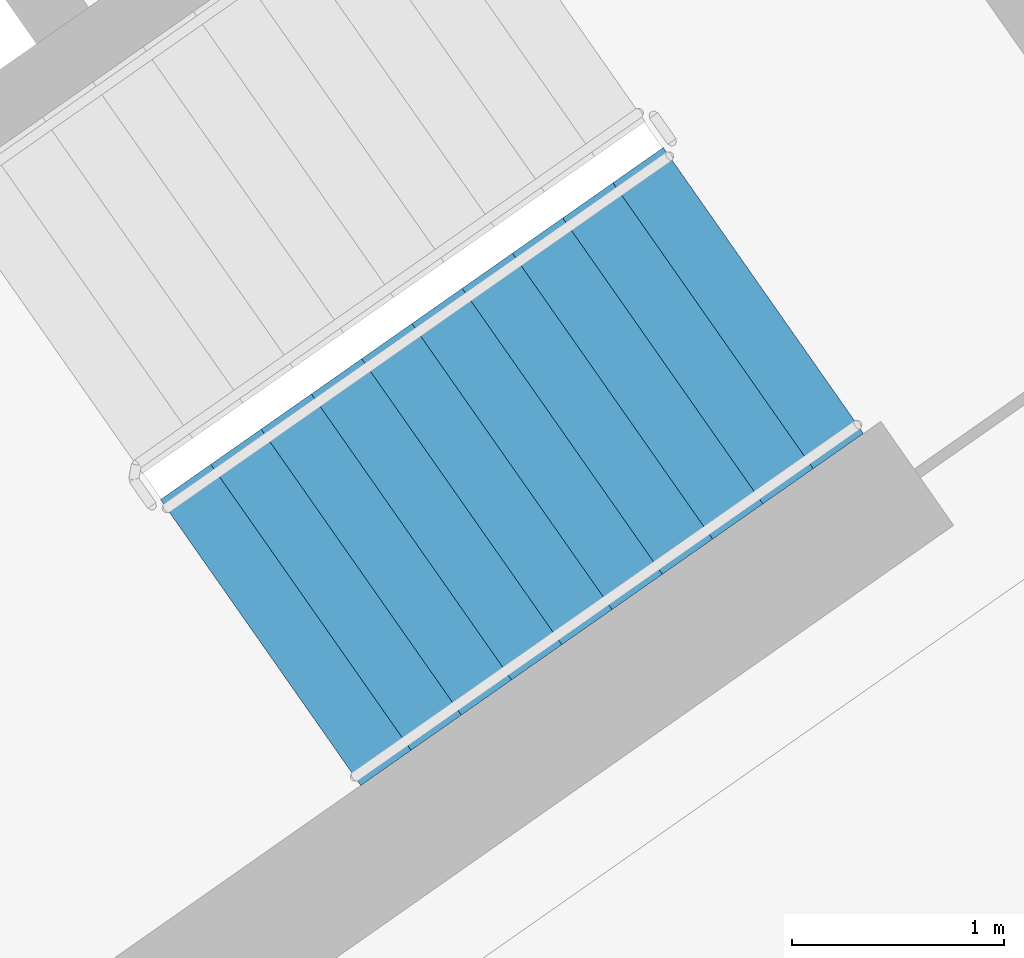
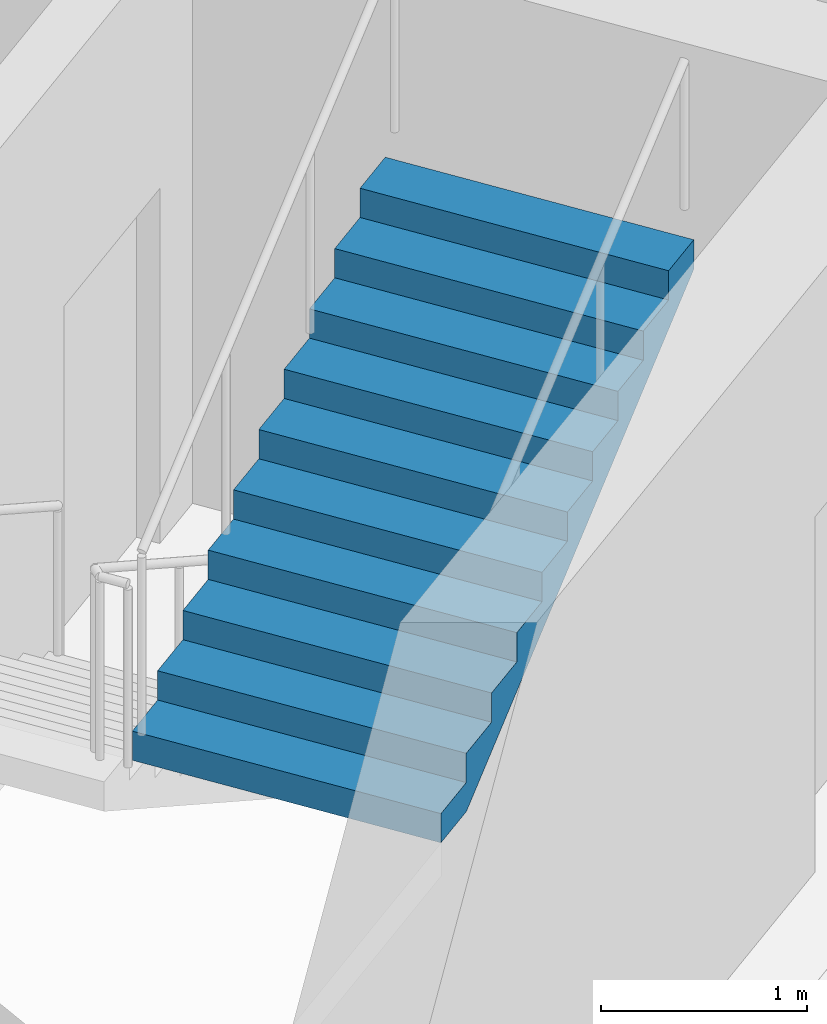
# One storey, part 13 of 28: 1 stair flight, 1 element without a shape of its own.
"""IFC4 building model written with IfcOpenShell, lengths in metres."""

from ifc_helpers import new_model, si_unit, direction, frame, origin, place, context, subcontext, project, spatial, faceted_brep, material, type_object, element, aggregate, save


model = new_model("IFC4")

# Units and contexts
model_context = context("Model", 3, precision=1e-05, world=origin(), true_north=direction((0.0, 1.0)))
body_context = subcontext(model_context, "Body", "Model", "MODEL_VIEW")
ifc_project = project(units=[si_unit("LENGTHUNIT", "METRE"), si_unit("AREAUNIT", "SQUARE_METRE"), si_unit("VOLUMEUNIT", "CUBIC_METRE"), si_unit("PLANEANGLEUNIT", "RADIAN"), si_unit("MASSUNIT", "GRAM", prefix="KILO")], contexts=[model_context])

# Site, building, storey
site_placement = place(None, origin())
site = spatial("IfcSite", under=ifc_project, at=site_placement, CompositionType="ELEMENT")
building_placement = place(site_placement, origin())
building = spatial("IfcBuilding", under=site, at=building_placement, Name="Qamariyya Broadcast Tower", CompositionType="ELEMENT")
storey_placement = place(building_placement, frame((0.0, 0.0, 226.5)))
storey = spatial("IfcBuildingStorey", under=building, at=storey_placement, Name="L54", CompositionType="ELEMENT", Elevation=226.5)

# Stair, stair flight
ifc_material = material(Name="Concrete C50/60", Category="concrete")
stair_type = type_object("IfcStairType", Name="Exit stair 22 risers of 173 mm", PredefinedType="HALF_TURN_STAIR", material=ifc_material)
stair_placement = place(storey_placement, origin())
stair = element("IfcStair", 1, at=stair_placement, inside=storey, type_object=stair_type, Name="L54 Stair E1", PredefinedType="HALF_TURN_STAIR")
stair_flight_type = type_object("IfcStairFlightType", Name="Exit stair flight 11 risers of 173 mm", PredefinedType="STRAIGHT", material=ifc_material)
stair_flight_placement = place(storey_placement, frame((44.693359375, -58.64599609375, 1.89990234375), z_axis=(0.0, 0.0, 1.0), x_axis=(0.819152044289, 0.573576436351, 0.0)))
stair_flight = element("IfcStairFlight", 2, at=stair_flight_placement, type_object=stair_flight_type, Name="ST-E1 flight 2", NumberOfRisers=11, NumberOfTreads=10, PredefinedType="STRAIGHT", RiserHeight=0.172727273, TreadLength=0.29, context=body_context, shape_type="Brep", body=[
    faceted_brep([(0.0, 0.824951171875, 0.0), (0.0, 0.824951171875, 0.172607421875), (0.2900390625, 0.824951171875, 0.172607421875), (0.2900390625, 0.824951171875, 0.345458984375), (0.580078125, 0.824951171875, 0.345458984375), (0.580078125, 0.824951171875, 0.51806640625), (0.8701171875, 0.824951171875, 0.51806640625), (0.8701171875, 0.824951171875, 0.69091796875), (1.159912109375, 0.824951171875, 0.69091796875), (1.159912109375, 0.824951171875, 0.863525390625), (1.449951171875, 0.824951171875, 0.863525390625), (1.449951171875, 0.824951171875, 1.036376953125), (1.739990234375, 0.824951171875, 1.036376953125), (1.739990234375, 0.824951171875, 1.208984375), (2.030029296875, 0.824951171875, 1.208984375), (2.030029296875, 0.824951171875, 1.3818359375), (2.320068359375, 0.824951171875, 1.3818359375), (2.320068359375, 0.824951171875, 1.554443359375), (2.610107421875, 0.824951171875, 1.554443359375), (2.610107421875, 0.824951171875, 1.727294921875), (2.89990234375, 0.824951171875, 1.727294921875), (2.89990234375, 0.824951171875, 1.552734375), (0.29296875, 0.824951171875, 0.0), (0.29296875, -0.824951171875, 0.0), (2.89990234375, -0.824951171875, 1.552734375), (2.89990234375, -0.824951171875, 1.727294921875), (2.610107421875, -0.824951171875, 1.727294921875), (2.610107421875, -0.824951171875, 1.554443359375), (2.320068359375, -0.824951171875, 1.554443359375), (2.320068359375, -0.824951171875, 1.3818359375), (2.030029296875, -0.824951171875, 1.3818359375), (2.030029296875, -0.824951171875, 1.208984375), (1.739990234375, -0.824951171875, 1.208984375), (1.739990234375, -0.824951171875, 1.036376953125), (1.449951171875, -0.824951171875, 1.036376953125), (1.449951171875, -0.824951171875, 0.863525390625), (1.159912109375, -0.824951171875, 0.863525390625), (1.159912109375, -0.824951171875, 0.69091796875), (0.8701171875, -0.824951171875, 0.69091796875), (0.8701171875, -0.824951171875, 0.51806640625), (0.580078125, -0.824951171875, 0.51806640625), (0.580078125, -0.824951171875, 0.345458984375), (0.2900390625, -0.824951171875, 0.345458984375), (0.2900390625, -0.824951171875, 0.172607421875), (0.0, -0.824951171875, 0.172607421875), (0.0, -0.824951171875, 0.0), (0.0, 0.10009765625, 0.0), (0.0, 0.086669921875, 0.0), (0.0, 0.0732421875, 0.0), (0.0, 0.06005859375, 0.0), (0.0, 0.046630859375, 0.0), (0.0, 0.033447265625, 0.0), (0.0, 0.02001953125, 0.0), (0.0, 0.006591796875, 0.0), (0.0, -0.006591796875, 0.0), (0.0, -0.02001953125, 0.0), (0.0, -0.033447265625, 0.0), (0.0, -0.046630859375, 0.0), (0.0, -0.06005859375, 0.0), (0.0, -0.0732421875, 0.0), (0.0, -0.086669921875, 0.0), (0.0, -0.10009765625, 0.0), (0.0, -0.10009765625, 0.172607421875), (0.0, -0.086669921875, 0.172607421875), (0.0, -0.0732421875, 0.172607421875), (0.0, -0.06005859375, 0.172607421875), (0.0, -0.046630859375, 0.172607421875), (0.0, -0.033447265625, 0.172607421875), (0.0, -0.02001953125, 0.172607421875), (0.0, -0.006591796875, 0.172607421875), (0.0, 0.006591796875, 0.172607421875), (0.0, 0.02001953125, 0.172607421875), (0.0, 0.033447265625, 0.172607421875), (0.0, 0.046630859375, 0.172607421875), (0.0, 0.06005859375, 0.172607421875), (0.0, 0.0732421875, 0.172607421875), (0.0, 0.086669921875, 0.172607421875), (0.0, 0.10009765625, 0.172607421875), (0.2900390625, -0.10009765625, 0.172607421875), (0.2900390625, -0.086669921875, 0.172607421875), (0.2900390625, -0.0732421875, 0.172607421875), (0.2900390625, -0.06005859375, 0.172607421875), (0.2900390625, -0.046630859375, 0.172607421875), (0.2900390625, -0.033447265625, 0.172607421875), (0.2900390625, -0.02001953125, 0.172607421875), (0.2900390625, -0.006591796875, 0.172607421875), (0.2900390625, 0.006591796875, 0.172607421875), (0.2900390625, 0.02001953125, 0.172607421875), (0.2900390625, 0.033447265625, 0.172607421875), (0.2900390625, 0.046630859375, 0.172607421875), (0.2900390625, 0.06005859375, 0.172607421875), (0.2900390625, 0.0732421875, 0.172607421875), (0.2900390625, 0.086669921875, 0.172607421875), (0.2900390625, 0.10009765625, 0.172607421875), (0.2900390625, -0.10009765625, 0.345458984375), (0.2900390625, -0.086669921875, 0.345458984375), (0.2900390625, -0.0732421875, 0.345458984375), (0.2900390625, -0.06005859375, 0.345458984375), (0.2900390625, -0.046630859375, 0.345458984375), (0.2900390625, -0.033447265625, 0.345458984375), (0.2900390625, -0.02001953125, 0.345458984375), (0.2900390625, -0.006591796875, 0.345458984375), (0.2900390625, 0.006591796875, 0.345458984375), (0.2900390625, 0.02001953125, 0.345458984375), (0.2900390625, 0.033447265625, 0.345458984375), (0.2900390625, 0.046630859375, 0.345458984375), (0.2900390625, 0.06005859375, 0.345458984375), (0.2900390625, 0.0732421875, 0.345458984375), (0.2900390625, 0.086669921875, 0.345458984375), (0.2900390625, 0.10009765625, 0.345458984375), (0.580078125, -0.10009765625, 0.345458984375), (0.580078125, -0.086669921875, 0.345458984375), (0.580078125, -0.0732421875, 0.345458984375), (0.580078125, -0.06005859375, 0.345458984375), (0.580078125, -0.046630859375, 0.345458984375), (0.580078125, -0.033447265625, 0.345458984375), (0.580078125, -0.02001953125, 0.345458984375), (0.580078125, -0.006591796875, 0.345458984375), (0.580078125, 0.006591796875, 0.345458984375), (0.580078125, 0.02001953125, 0.345458984375), (0.580078125, 0.033447265625, 0.345458984375), (0.580078125, 0.046630859375, 0.345458984375), (0.580078125, 0.06005859375, 0.345458984375), (0.580078125, 0.0732421875, 0.345458984375), (0.580078125, 0.086669921875, 0.345458984375), (0.580078125, 0.10009765625, 0.345458984375), (0.580078125, -0.10009765625, 0.51806640625), (0.580078125, -0.086669921875, 0.51806640625), (0.580078125, -0.0732421875, 0.51806640625), (0.580078125, -0.06005859375, 0.51806640625), (0.580078125, -0.046630859375, 0.51806640625), (0.580078125, -0.033447265625, 0.51806640625), (0.580078125, -0.02001953125, 0.51806640625), (0.580078125, -0.006591796875, 0.51806640625), (0.580078125, 0.006591796875, 0.51806640625), (0.580078125, 0.02001953125, 0.51806640625), (0.580078125, 0.033447265625, 0.51806640625), (0.580078125, 0.046630859375, 0.51806640625), (0.580078125, 0.06005859375, 0.51806640625), (0.580078125, 0.0732421875, 0.51806640625), (0.580078125, 0.086669921875, 0.51806640625), (0.580078125, 0.10009765625, 0.51806640625), (0.8701171875, -0.10009765625, 0.51806640625), (0.8701171875, -0.086669921875, 0.51806640625), (0.8701171875, -0.0732421875, 0.51806640625), (0.8701171875, -0.06005859375, 0.51806640625), (0.8701171875, -0.046630859375, 0.51806640625), (0.8701171875, -0.033447265625, 0.51806640625), (0.8701171875, -0.02001953125, 0.51806640625), (0.8701171875, -0.006591796875, 0.51806640625), (0.8701171875, 0.006591796875, 0.51806640625), (0.8701171875, 0.02001953125, 0.51806640625), (0.8701171875, 0.033447265625, 0.51806640625), (0.8701171875, 0.046630859375, 0.51806640625), (0.8701171875, 0.06005859375, 0.51806640625), (0.8701171875, 0.0732421875, 0.51806640625), (0.8701171875, 0.086669921875, 0.51806640625), (0.8701171875, 0.10009765625, 0.51806640625), (0.8701171875, -0.10009765625, 0.69091796875), (0.8701171875, -0.086669921875, 0.69091796875), (0.8701171875, -0.0732421875, 0.69091796875), (0.8701171875, -0.06005859375, 0.69091796875), (0.8701171875, -0.046630859375, 0.69091796875), (0.8701171875, -0.033447265625, 0.69091796875), (0.8701171875, -0.02001953125, 0.69091796875), (0.8701171875, -0.006591796875, 0.69091796875), (0.8701171875, 0.006591796875, 0.69091796875), (0.8701171875, 0.02001953125, 0.69091796875), (0.8701171875, 0.033447265625, 0.69091796875), (0.8701171875, 0.046630859375, 0.69091796875), (0.8701171875, 0.06005859375, 0.69091796875), (0.8701171875, 0.0732421875, 0.69091796875), (0.8701171875, 0.086669921875, 0.69091796875), (0.8701171875, 0.10009765625, 0.69091796875), (1.159912109375, -0.10009765625, 0.69091796875), (1.159912109375, -0.086669921875, 0.69091796875), (1.159912109375, -0.0732421875, 0.69091796875), (1.159912109375, -0.06005859375, 0.69091796875), (1.159912109375, -0.046630859375, 0.69091796875), (1.159912109375, -0.033447265625, 0.69091796875), (1.159912109375, -0.02001953125, 0.69091796875), (1.159912109375, -0.006591796875, 0.69091796875), (1.159912109375, 0.006591796875, 0.69091796875), (1.159912109375, 0.02001953125, 0.69091796875), (1.159912109375, 0.033447265625, 0.69091796875), (1.159912109375, 0.046630859375, 0.69091796875), (1.159912109375, 0.06005859375, 0.69091796875), (1.159912109375, 0.0732421875, 0.69091796875), (1.159912109375, 0.086669921875, 0.69091796875), (1.159912109375, 0.10009765625, 0.69091796875), (1.159912109375, -0.10009765625, 0.863525390625), (1.159912109375, -0.086669921875, 0.863525390625), (1.159912109375, -0.0732421875, 0.863525390625), (1.159912109375, -0.06005859375, 0.863525390625), (1.159912109375, -0.046630859375, 0.863525390625), (1.159912109375, -0.033447265625, 0.863525390625), (1.159912109375, -0.02001953125, 0.863525390625), (1.159912109375, -0.006591796875, 0.863525390625), (1.159912109375, 0.006591796875, 0.863525390625), (1.159912109375, 0.02001953125, 0.863525390625), (1.159912109375, 0.033447265625, 0.863525390625), (1.159912109375, 0.046630859375, 0.863525390625), (1.159912109375, 0.06005859375, 0.863525390625), (1.159912109375, 0.0732421875, 0.863525390625), (1.159912109375, 0.086669921875, 0.863525390625), (1.159912109375, 0.10009765625, 0.863525390625), (1.449951171875, -0.10009765625, 0.863525390625), (1.449951171875, -0.086669921875, 0.863525390625), (1.449951171875, -0.0732421875, 0.863525390625), (1.449951171875, -0.06005859375, 0.863525390625), (1.449951171875, -0.046630859375, 0.863525390625), (1.449951171875, -0.033447265625, 0.863525390625), (1.449951171875, -0.02001953125, 0.863525390625), (1.449951171875, -0.006591796875, 0.863525390625), (1.449951171875, 0.006591796875, 0.863525390625), (1.449951171875, 0.02001953125, 0.863525390625), (1.449951171875, 0.033447265625, 0.863525390625), (1.449951171875, 0.046630859375, 0.863525390625), (1.449951171875, 0.06005859375, 0.863525390625), (1.449951171875, 0.0732421875, 0.863525390625), (1.449951171875, 0.086669921875, 0.863525390625), (1.449951171875, 0.10009765625, 0.863525390625), (1.449951171875, -0.10009765625, 1.036376953125), (1.449951171875, -0.086669921875, 1.036376953125), (1.449951171875, -0.0732421875, 1.036376953125), (1.449951171875, -0.06005859375, 1.036376953125), (1.449951171875, -0.046630859375, 1.036376953125), (1.449951171875, -0.033447265625, 1.036376953125), (1.449951171875, -0.02001953125, 1.036376953125), (1.449951171875, -0.006591796875, 1.036376953125), (1.449951171875, 0.006591796875, 1.036376953125), (1.449951171875, 0.02001953125, 1.036376953125), (1.449951171875, 0.033447265625, 1.036376953125), (1.449951171875, 0.046630859375, 1.036376953125), (1.449951171875, 0.06005859375, 1.036376953125), (1.449951171875, 0.0732421875, 1.036376953125), (1.449951171875, 0.086669921875, 1.036376953125), (1.449951171875, 0.10009765625, 1.036376953125), (1.739990234375, -0.10009765625, 1.036376953125), (1.739990234375, -0.086669921875, 1.036376953125), (1.739990234375, -0.0732421875, 1.036376953125), (1.739990234375, -0.06005859375, 1.036376953125), (1.739990234375, -0.046630859375, 1.036376953125), (1.739990234375, -0.033447265625, 1.036376953125), (1.739990234375, -0.02001953125, 1.036376953125), (1.739990234375, -0.006591796875, 1.036376953125), (1.739990234375, 0.006591796875, 1.036376953125), (1.739990234375, 0.02001953125, 1.036376953125), (1.739990234375, 0.033447265625, 1.036376953125), (1.739990234375, 0.046630859375, 1.036376953125), (1.739990234375, 0.06005859375, 1.036376953125), (1.739990234375, 0.0732421875, 1.036376953125), (1.739990234375, 0.086669921875, 1.036376953125), (1.739990234375, 0.10009765625, 1.036376953125), (1.739990234375, -0.10009765625, 1.208984375), (1.739990234375, -0.086669921875, 1.208984375), (1.739990234375, -0.0732421875, 1.208984375), (1.739990234375, -0.06005859375, 1.208984375), (1.739990234375, -0.046630859375, 1.208984375), (1.739990234375, -0.033447265625, 1.208984375), (1.739990234375, -0.02001953125, 1.208984375), (1.739990234375, -0.006591796875, 1.208984375), (1.739990234375, 0.006591796875, 1.208984375), (1.739990234375, 0.02001953125, 1.208984375), (1.739990234375, 0.033447265625, 1.208984375), (1.739990234375, 0.046630859375, 1.208984375), (1.739990234375, 0.06005859375, 1.208984375), (1.739990234375, 0.0732421875, 1.208984375), (1.739990234375, 0.086669921875, 1.208984375), (1.739990234375, 0.10009765625, 1.208984375), (2.030029296875, -0.10009765625, 1.208984375), (2.030029296875, -0.086669921875, 1.208984375), (2.030029296875, -0.0732421875, 1.208984375), (2.030029296875, -0.06005859375, 1.208984375), (2.030029296875, -0.046630859375, 1.208984375), (2.030029296875, -0.033447265625, 1.208984375), (2.030029296875, -0.02001953125, 1.208984375), (2.030029296875, -0.006591796875, 1.208984375), (2.030029296875, 0.006591796875, 1.208984375), (2.030029296875, 0.02001953125, 1.208984375), (2.030029296875, 0.033447265625, 1.208984375), (2.030029296875, 0.046630859375, 1.208984375), (2.030029296875, 0.06005859375, 1.208984375), (2.030029296875, 0.0732421875, 1.208984375), (2.030029296875, 0.086669921875, 1.208984375), (2.030029296875, 0.10009765625, 1.208984375), (2.030029296875, -0.10009765625, 1.3818359375), (2.030029296875, -0.086669921875, 1.3818359375), (2.030029296875, -0.0732421875, 1.3818359375), (2.030029296875, -0.06005859375, 1.3818359375), (2.030029296875, -0.046630859375, 1.3818359375), (2.030029296875, -0.033447265625, 1.3818359375), (2.030029296875, -0.02001953125, 1.3818359375), (2.030029296875, -0.006591796875, 1.3818359375), (2.030029296875, 0.006591796875, 1.3818359375), (2.030029296875, 0.02001953125, 1.3818359375), (2.030029296875, 0.033447265625, 1.3818359375), (2.030029296875, 0.046630859375, 1.3818359375), (2.030029296875, 0.06005859375, 1.3818359375), (2.030029296875, 0.0732421875, 1.3818359375), (2.030029296875, 0.086669921875, 1.3818359375), (2.030029296875, 0.10009765625, 1.3818359375), (2.320068359375, -0.10009765625, 1.3818359375), (2.320068359375, -0.086669921875, 1.3818359375), (2.320068359375, -0.0732421875, 1.3818359375), (2.320068359375, -0.06005859375, 1.3818359375), (2.320068359375, -0.046630859375, 1.3818359375), (2.320068359375, -0.033447265625, 1.3818359375), (2.320068359375, -0.02001953125, 1.3818359375), (2.320068359375, -0.006591796875, 1.3818359375), (2.320068359375, 0.006591796875, 1.3818359375), (2.320068359375, 0.02001953125, 1.3818359375), (2.320068359375, 0.033447265625, 1.3818359375), (2.320068359375, 0.046630859375, 1.3818359375), (2.320068359375, 0.06005859375, 1.3818359375), (2.320068359375, 0.0732421875, 1.3818359375), (2.320068359375, 0.086669921875, 1.3818359375), (2.320068359375, 0.10009765625, 1.3818359375), (2.320068359375, -0.10009765625, 1.554443359375), (2.320068359375, -0.086669921875, 1.554443359375), (2.320068359375, -0.0732421875, 1.554443359375), (2.320068359375, -0.06005859375, 1.554443359375), (2.320068359375, -0.046630859375, 1.554443359375), (2.320068359375, -0.033447265625, 1.554443359375), (2.320068359375, -0.02001953125, 1.554443359375), (2.320068359375, -0.006591796875, 1.554443359375), (2.320068359375, 0.006591796875, 1.554443359375), (2.320068359375, 0.02001953125, 1.554443359375), (2.320068359375, 0.033447265625, 1.554443359375), (2.320068359375, 0.046630859375, 1.554443359375), (2.320068359375, 0.06005859375, 1.554443359375), (2.320068359375, 0.0732421875, 1.554443359375), (2.320068359375, 0.086669921875, 1.554443359375), (2.320068359375, 0.10009765625, 1.554443359375), (2.610107421875, -0.10009765625, 1.554443359375), (2.610107421875, -0.086669921875, 1.554443359375), (2.610107421875, -0.0732421875, 1.554443359375), (2.610107421875, -0.06005859375, 1.554443359375), (2.610107421875, -0.046630859375, 1.554443359375), (2.610107421875, -0.033447265625, 1.554443359375), (2.610107421875, -0.02001953125, 1.554443359375), (2.610107421875, -0.006591796875, 1.554443359375), (2.610107421875, 0.006591796875, 1.554443359375), (2.610107421875, 0.02001953125, 1.554443359375), (2.610107421875, 0.033447265625, 1.554443359375), (2.610107421875, 0.046630859375, 1.554443359375), (2.610107421875, 0.06005859375, 1.554443359375), (2.610107421875, 0.0732421875, 1.554443359375), (2.610107421875, 0.086669921875, 1.554443359375), (2.610107421875, 0.10009765625, 1.554443359375), (2.610107421875, -0.10009765625, 1.727294921875), (2.610107421875, -0.086669921875, 1.727294921875), (2.610107421875, -0.0732421875, 1.727294921875), (2.610107421875, -0.06005859375, 1.727294921875), (2.610107421875, -0.046630859375, 1.727294921875), (2.610107421875, -0.033447265625, 1.727294921875), (2.610107421875, -0.02001953125, 1.727294921875), (2.610107421875, -0.006591796875, 1.727294921875), (2.610107421875, 0.006591796875, 1.727294921875), (2.610107421875, 0.02001953125, 1.727294921875), (2.610107421875, 0.033447265625, 1.727294921875), (2.610107421875, 0.046630859375, 1.727294921875), (2.610107421875, 0.06005859375, 1.727294921875), (2.610107421875, 0.0732421875, 1.727294921875), (2.610107421875, 0.086669921875, 1.727294921875), (2.610107421875, 0.10009765625, 1.727294921875), (2.89990234375, -0.10009765625, 1.727294921875), (2.89990234375, -0.086669921875, 1.727294921875), (2.89990234375, -0.0732421875, 1.727294921875), (2.89990234375, -0.06005859375, 1.727294921875), (2.89990234375, -0.046630859375, 1.727294921875), (2.89990234375, -0.033447265625, 1.727294921875), (2.89990234375, -0.02001953125, 1.727294921875), (2.89990234375, -0.006591796875, 1.727294921875), (2.89990234375, 0.006591796875, 1.727294921875), (2.89990234375, 0.02001953125, 1.727294921875), (2.89990234375, 0.033447265625, 1.727294921875), (2.89990234375, 0.046630859375, 1.727294921875), (2.89990234375, 0.06005859375, 1.727294921875), (2.89990234375, 0.0732421875, 1.727294921875), (2.89990234375, 0.086669921875, 1.727294921875), (2.89990234375, 0.10009765625, 1.727294921875), (2.89990234375, -0.10009765625, 1.552734375), (2.89990234375, -0.086669921875, 1.552734375), (2.89990234375, -0.0732421875, 1.552734375), (2.89990234375, -0.06005859375, 1.552734375), (2.89990234375, -0.046630859375, 1.552734375), (2.89990234375, -0.033447265625, 1.552734375), (2.89990234375, -0.02001953125, 1.552734375), (2.89990234375, -0.006591796875, 1.552734375), (2.89990234375, 0.006591796875, 1.552734375), (2.89990234375, 0.02001953125, 1.552734375), (2.89990234375, 0.033447265625, 1.552734375), (2.89990234375, 0.046630859375, 1.552734375), (2.89990234375, 0.06005859375, 1.552734375), (2.89990234375, 0.0732421875, 1.552734375), (2.89990234375, 0.086669921875, 1.552734375), (2.89990234375, 0.10009765625, 1.552734375), (0.29296875, -0.10009765625, 0.0), (0.29296875, -0.086669921875, 0.0), (0.29296875, -0.0732421875, 0.0), (0.29296875, -0.06005859375, 0.0), (0.29296875, -0.046630859375, 0.0), (0.29296875, -0.033447265625, 0.0), (0.29296875, -0.02001953125, 0.0), (0.29296875, -0.006591796875, 0.0), (0.29296875, 0.006591796875, 0.0), (0.29296875, 0.02001953125, 0.0), (0.29296875, 0.033447265625, 0.0), (0.29296875, 0.046630859375, 0.0), (0.29296875, 0.06005859375, 0.0), (0.29296875, 0.0732421875, 0.0), (0.29296875, 0.086669921875, 0.0), (0.29296875, 0.10009765625, 0.0)], [[[0, 1, 2, 3, 4, 5, 6, 7, 8, 9, 10, 11, 12, 13, 14, 15, 16, 17, 18, 19, 20, 21, 22]], [[23, 24, 25, 26, 27, 28, 29, 30, 31, 32, 33, 34, 35, 36, 37, 38, 39, 40, 41, 42, 43, 44, 45]], [[0, 46, 47, 48, 49, 50, 51, 52, 53, 54, 55, 56, 57, 58, 59, 60, 61, 45, 44, 62, 63, 64, 65, 66, 67, 68, 69, 70, 71, 72, 73, 74, 75, 76, 77, 1]], [[1, 77, 76, 75, 74, 73, 72, 71, 70, 69, 68, 67, 66, 65, 64, 63, 62, 44, 43, 78, 79, 80, 81, 82, 83, 84, 85, 86, 87, 88, 89, 90, 91, 92, 93, 2]], [[2, 93, 92, 91, 90, 89, 88, 87, 86, 85, 84, 83, 82, 81, 80, 79, 78, 43, 42, 94, 95, 96, 97, 98, 99, 100, 101, 102, 103, 104, 105, 106, 107, 108, 109, 3]], [[3, 109, 108, 107, 106, 105, 104, 103, 102, 101, 100, 99, 98, 97, 96, 95, 94, 42, 41, 110, 111, 112, 113, 114, 115, 116, 117, 118, 119, 120, 121, 122, 123, 124, 125, 4]], [[4, 125, 124, 123, 122, 121, 120, 119, 118, 117, 116, 115, 114, 113, 112, 111, 110, 41, 40, 126, 127, 128, 129, 130, 131, 132, 133, 134, 135, 136, 137, 138, 139, 140, 141, 5]], [[5, 141, 140, 139, 138, 137, 136, 135, 134, 133, 132, 131, 130, 129, 128, 127, 126, 40, 39, 142, 143, 144, 145, 146, 147, 148, 149, 150, 151, 152, 153, 154, 155, 156, 157, 6]], [[6, 157, 156, 155, 154, 153, 152, 151, 150, 149, 148, 147, 146, 145, 144, 143, 142, 39, 38, 158, 159, 160, 161, 162, 163, 164, 165, 166, 167, 168, 169, 170, 171, 172, 173, 7]], [[7, 173, 172, 171, 170, 169, 168, 167, 166, 165, 164, 163, 162, 161, 160, 159, 158, 38, 37, 174, 175, 176, 177, 178, 179, 180, 181, 182, 183, 184, 185, 186, 187, 188, 189, 8]], [[8, 189, 188, 187, 186, 185, 184, 183, 182, 181, 180, 179, 178, 177, 176, 175, 174, 37, 36, 190, 191, 192, 193, 194, 195, 196, 197, 198, 199, 200, 201, 202, 203, 204, 205, 9]], [[9, 205, 204, 203, 202, 201, 200, 199, 198, 197, 196, 195, 194, 193, 192, 191, 190, 36, 35, 206, 207, 208, 209, 210, 211, 212, 213, 214, 215, 216, 217, 218, 219, 220, 221, 10]], [[10, 221, 220, 219, 218, 217, 216, 215, 214, 213, 212, 211, 210, 209, 208, 207, 206, 35, 34, 222, 223, 224, 225, 226, 227, 228, 229, 230, 231, 232, 233, 234, 235, 236, 237, 11]], [[11, 237, 236, 235, 234, 233, 232, 231, 230, 229, 228, 227, 226, 225, 224, 223, 222, 34, 33, 238, 239, 240, 241, 242, 243, 244, 245, 246, 247, 248, 249, 250, 251, 252, 253, 12]], [[12, 253, 252, 251, 250, 249, 248, 247, 246, 245, 244, 243, 242, 241, 240, 239, 238, 33, 32, 254, 255, 256, 257, 258, 259, 260, 261, 262, 263, 264, 265, 266, 267, 268, 269, 13]], [[13, 269, 268, 267, 266, 265, 264, 263, 262, 261, 260, 259, 258, 257, 256, 255, 254, 32, 31, 270, 271, 272, 273, 274, 275, 276, 277, 278, 279, 280, 281, 282, 283, 284, 285, 14]], [[14, 285, 284, 283, 282, 281, 280, 279, 278, 277, 276, 275, 274, 273, 272, 271, 270, 31, 30, 286, 287, 288, 289, 290, 291, 292, 293, 294, 295, 296, 297, 298, 299, 300, 301, 15]], [[15, 301, 300, 299, 298, 297, 296, 295, 294, 293, 292, 291, 290, 289, 288, 287, 286, 30, 29, 302, 303, 304, 305, 306, 307, 308, 309, 310, 311, 312, 313, 314, 315, 316, 317, 16]], [[16, 317, 316, 315, 314, 313, 312, 311, 310, 309, 308, 307, 306, 305, 304, 303, 302, 29, 28, 318, 319, 320, 321, 322, 323, 324, 325, 326, 327, 328, 329, 330, 331, 332, 333, 17]], [[17, 333, 332, 331, 330, 329, 328, 327, 326, 325, 324, 323, 322, 321, 320, 319, 318, 28, 27, 334, 335, 336, 337, 338, 339, 340, 341, 342, 343, 344, 345, 346, 347, 348, 349, 18]], [[18, 349, 348, 347, 346, 345, 344, 343, 342, 341, 340, 339, 338, 337, 336, 335, 334, 27, 26, 350, 351, 352, 353, 354, 355, 356, 357, 358, 359, 360, 361, 362, 363, 364, 365, 19]], [[19, 365, 364, 363, 362, 361, 360, 359, 358, 357, 356, 355, 354, 353, 352, 351, 350, 26, 25, 366, 367, 368, 369, 370, 371, 372, 373, 374, 375, 376, 377, 378, 379, 380, 381, 20]], [[20, 381, 380, 379, 378, 377, 376, 375, 374, 373, 372, 371, 370, 369, 368, 367, 366, 25, 24, 382, 383, 384, 385, 386, 387, 388, 389, 390, 391, 392, 393, 394, 395, 396, 397, 21]], [[21, 397, 396, 395, 394, 393, 392, 391, 390, 389, 388, 387, 386, 385, 384, 383, 382, 24, 23, 398, 399, 400, 401, 402, 403, 404, 405, 406, 407, 408, 409, 410, 411, 412, 413, 22]], [[22, 413, 412, 411, 410, 409, 408, 407, 406, 405, 404, 403, 402, 401, 400, 399, 398, 23, 45, 61, 60, 59, 58, 57, 56, 55, 54, 53, 52, 51, 50, 49, 48, 47, 46, 0]]]),
])
aggregate(stair, [stair_flight])

save(model, "model.ifc")
